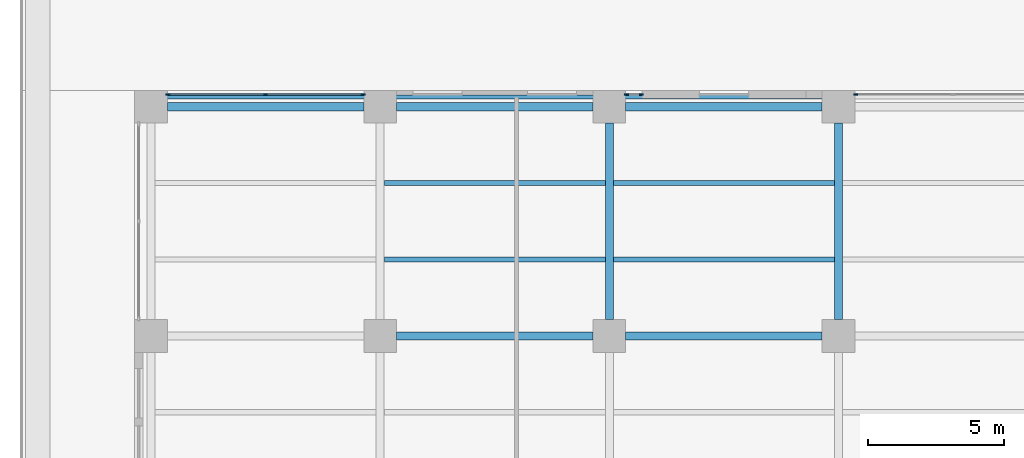
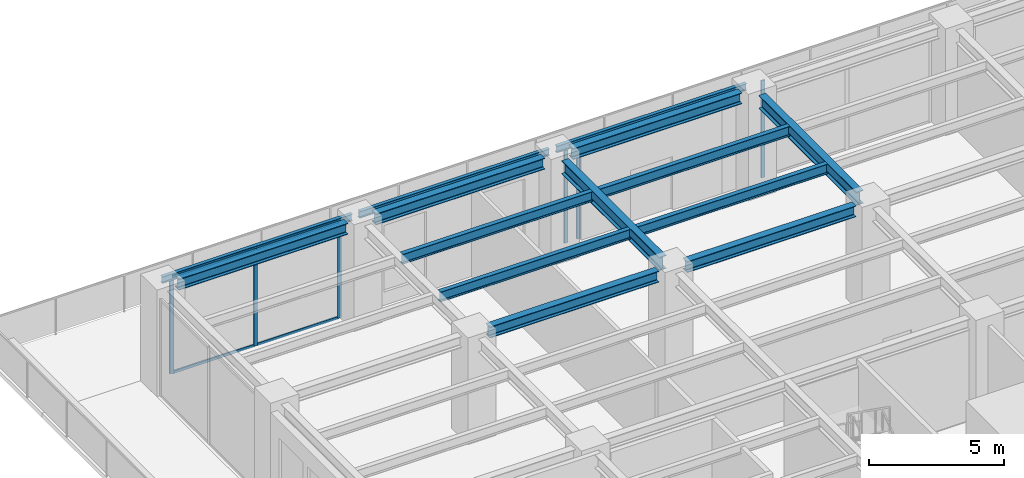
# One storey, part 12 of 53: 14 beams, 10 members, 3 elements without a shape of their own.
"""IFC4 building model written with IfcOpenShell, lengths in metres."""

from ifc_helpers import new_model, si_unit, direction, frame, origin, origin_2d, place, context, subcontext, project, spatial, rectangle, i_section, extrude, material, material_profile, profile_set, type_object, element, aggregate, save


model = new_model("IFC4")

# Units and contexts
model_context = context("Model", 3, precision=1e-05, world=origin(), true_north=direction((0.0, 1.0)))
body_context = subcontext(model_context, "Body", "Model", "MODEL_VIEW")
ifc_project = project(units=[si_unit("LENGTHUNIT", "METRE"), si_unit("AREAUNIT", "SQUARE_METRE"), si_unit("VOLUMEUNIT", "CUBIC_METRE"), si_unit("PLANEANGLEUNIT", "RADIAN"), si_unit("MASSUNIT", "GRAM", prefix="KILO")], contexts=[model_context])

# Site, building, storey
site_placement = place(None, origin())
site = spatial("IfcSite", under=ifc_project, at=site_placement, CompositionType="ELEMENT")
building_placement = place(site_placement, origin())
building = spatial("IfcBuilding", under=site, at=building_placement, Name="Khepri Terraces", CompositionType="ELEMENT")
storey_placement = place(building_placement, frame((0.0, 0.0, 7.199951171875)))
storey = spatial("IfcBuildingStorey", under=building, at=storey_placement, Name="L01", CompositionType="ELEMENT", Elevation=7.199951171875)

# Curtain wall, member
ifc_material_1 = material(Name="Anodised aluminium bronze curtain wall", Category="aluminium")
curtain_wall_type = type_object("IfcCurtainWallType", Name="CW-SYS2-PODIUM", PredefinedType="NOTDEFINED", material=ifc_material_1)
curtain_wall_1_placement = place(storey_placement, origin())
curtain_wall_1 = element("IfcCurtainWall", 1, at=curtain_wall_1_placement, inside=storey, type_object=curtain_wall_type, Name="Curtain wall CW2 L01 N", PredefinedType="NOTDEFINED")
ifc_material_2 = material(Name="Anodised aluminium bronze", Category="aluminium")
ifc_material_profile_1 = material_profile(ifc_material_2, rectangle(XDim=0.06005859375, YDim=0.159912109375, at=origin_2d()), Name="Anodised aluminium bronze", Category="aluminium")
ifc_profile_set_1 = profile_set([ifc_material_profile_1], Name="Anodised aluminium bronze")
member_type_1 = type_object("IfcMemberType", Name="CW-MULLION-60x160", PredefinedType="MULLION", material=ifc_profile_set_1)
member_1_placement = place(storey_placement, frame((-16.169921875, 42.449951171875, 0.0), z_axis=(0.0, 0.0, 1.0), x_axis=(0.0, -1.0, 0.0)))
member_1 = element("IfcMember", 2, at=member_1_placement, type_object=member_type_1, Name="CW2 mullion 3", PredefinedType="MULLION", context=body_context, shape_type="SweptSolid", body=[
    extrude(rectangle(XDim=0.06005859375, YDim=0.159912109375, at=origin_2d()), origin(), (0.0, 0.0, 1.0), 4.380126953125),
])
aggregate(curtain_wall_1, [member_1])

# Curtain wall, members
curtain_wall_2_placement = place(storey_placement, origin())
curtain_wall_2 = element("IfcCurtainWall", 3, at=curtain_wall_2_placement, inside=storey, type_object=curtain_wall_type, Name="Curtain wall CW2 L01 N", PredefinedType="NOTDEFINED")
member_2_placement = place(storey_placement, frame((-24.030029296875, 42.449951171875, 0.0), z_axis=(0.0, 0.0, 1.0), x_axis=(0.0, -1.0, 0.0)))
member_2 = element("IfcMember", 4, at=member_2_placement, type_object=member_type_1, Name="CW2 mullion 1", PredefinedType="MULLION", context=body_context, shape_type="SweptSolid", body=[
    extrude(rectangle(XDim=0.06005859375, YDim=0.159912109375, at=origin_2d()), origin(), (0.0, 0.0, 1.0), 4.380126953125),
])
member_3_placement = place(storey_placement, frame((-24.570068359375, 42.449951171875, 0.0), z_axis=(0.0, 0.0, 1.0), x_axis=(0.0, -1.0, 0.0)))
member_3 = element("IfcMember", 5, at=member_3_placement, type_object=member_type_1, Name="CW2 mullion 2", PredefinedType="MULLION", context=body_context, shape_type="SweptSolid", body=[
    extrude(rectangle(XDim=0.06005859375, YDim=0.159912109375, at=origin_2d()), origin(), (0.0, 0.0, 1.0), 4.380126953125),
])
aggregate(curtain_wall_2, [member_2, member_3])

curtain_wall_3_placement = place(storey_placement, origin())
curtain_wall_3 = element("IfcCurtainWall", 6, at=curtain_wall_3_placement, inside=storey, type_object=curtain_wall_type, Name="Curtain wall CW2 L01 N", PredefinedType="NOTDEFINED")
member_4_placement = place(storey_placement, frame((-34.22998046875, 42.449951171875, 0.0), z_axis=(0.0, 0.0, 1.0), x_axis=(0.0, -1.0, 0.0)))
member_4 = element("IfcMember", 7, at=member_4_placement, type_object=member_type_1, Name="CW2 mullion 1", PredefinedType="MULLION", context=body_context, shape_type="SweptSolid", body=[
    extrude(rectangle(XDim=0.06005859375, YDim=0.159912109375, at=origin_2d()), origin(), (0.0, 0.0, 1.0), 4.380126953125),
])
member_5_placement = place(storey_placement, frame((-37.800048828125, 42.449951171875, 0.0), z_axis=(0.0, 0.0, 1.0), x_axis=(0.0, -1.0, 0.0)))
member_5 = element("IfcMember", 8, at=member_5_placement, type_object=member_type_1, Name="CW2 mullion 2", PredefinedType="MULLION", context=body_context, shape_type="SweptSolid", body=[
    extrude(rectangle(XDim=0.06005859375, YDim=0.159912109375, at=origin_2d()), origin(), (0.0, 0.0, 1.0), 4.380126953125),
])
member_6_placement = place(storey_placement, frame((-41.3701171875, 42.449951171875, 0.0), z_axis=(0.0, 0.0, 1.0), x_axis=(0.0, -1.0, 0.0)))
member_6 = element("IfcMember", 9, at=member_6_placement, type_object=member_type_1, Name="CW2 mullion 3", PredefinedType="MULLION", context=body_context, shape_type="SweptSolid", body=[
    extrude(rectangle(XDim=0.06005859375, YDim=0.159912109375, at=origin_2d()), origin(), (0.0, 0.0, 1.0), 4.380126953125),
])
ifc_material_profile_2 = material_profile(ifc_material_2, rectangle(XDim=0.06005859375, YDim=0.1201171875, at=origin_2d()), Name="Anodised aluminium bronze", Category="aluminium")
ifc_profile_set_2 = profile_set([ifc_material_profile_2], Name="Anodised aluminium bronze")
member_type_2 = type_object("IfcMemberType", Name="CW-TRANSOM-60x120", PredefinedType="USERDEFINED", material=ifc_profile_set_2)
member_7_placement = place(storey_placement, frame((-34.260009765625, 42.449951171875, 0.030029296875), z_axis=(-1.0, 0.0, 0.0), x_axis=(0.0, -1.0, 0.0)))
member_7 = element("IfcMember", 10, at=member_7_placement, type_object=member_type_2, Name="CW2 transom 1.1", ObjectType="TRANSOM", PredefinedType="USERDEFINED", context=body_context, shape_type="SweptSolid", body=[
    extrude(rectangle(XDim=0.06005859375, YDim=0.1201171875, at=origin_2d()), origin(), (0.0, 0.0, 1.0), 3.510009765625),
])
member_8_placement = place(storey_placement, frame((-34.260009765625, 42.449951171875, 4.35009765625), z_axis=(-1.0, 0.0, 0.0), x_axis=(0.0, -1.0, 0.0)))
member_8 = element("IfcMember", 11, at=member_8_placement, type_object=member_type_2, Name="CW2 transom 1.2", ObjectType="TRANSOM", PredefinedType="USERDEFINED", context=body_context, shape_type="SweptSolid", body=[
    extrude(rectangle(XDim=0.06005859375, YDim=0.1201171875, at=origin_2d()), origin(), (0.0, 0.0, 1.0), 3.510009765625),
])
member_9_placement = place(storey_placement, frame((-37.830078125, 42.449951171875, 0.030029296875), z_axis=(-1.0, 0.0, 0.0), x_axis=(0.0, -1.0, 0.0)))
member_9 = element("IfcMember", 12, at=member_9_placement, type_object=member_type_2, Name="CW2 transom 2.1", ObjectType="TRANSOM", PredefinedType="USERDEFINED", context=body_context, shape_type="SweptSolid", body=[
    extrude(rectangle(XDim=0.06005859375, YDim=0.1201171875, at=origin_2d()), origin(), (0.0, 0.0, 1.0), 3.510009765625),
])
member_10_placement = place(storey_placement, frame((-37.830078125, 42.449951171875, 4.35009765625), z_axis=(-1.0, 0.0, 0.0), x_axis=(0.0, -1.0, 0.0)))
member_10 = element("IfcMember", 13, at=member_10_placement, type_object=member_type_2, Name="CW2 transom 2.2", ObjectType="TRANSOM", PredefinedType="USERDEFINED", context=body_context, shape_type="SweptSolid", body=[
    extrude(rectangle(XDim=0.06005859375, YDim=0.1201171875, at=origin_2d()), origin(), (0.0, 0.0, 1.0), 3.510009765625),
])
aggregate(curtain_wall_3, [member_4, member_5, member_6, member_7, member_8, member_9, member_10])

# Beams
ifc_material_3 = material(Name="Steel S355", Category="steel")
ifc_material_profile_3 = material_profile(ifc_material_3, i_section(OverallWidth=0.14990234375, OverallDepth=0.300048828125, WebThickness=0.007080078125, FlangeThickness=0.0107421875, FilletRadius=0.014892578125, at=origin_2d()), Name="Steel S355", Category="steel")
ifc_profile_set_3 = profile_set([ifc_material_profile_3], Name="Steel S355")
beam_type_1 = type_object("IfcBeamType", Name="Podium edge beam L02 IPE 300", PredefinedType="SPANDREL", material=ifc_profile_set_3)
beam_1_placement = place(storey_placement, frame((-41.85009765625, 42.35009765625, 4.449951171875), z_axis=(1.0, 0.0, 0.0), x_axis=(0.0, 1.0, 0.0)))
element("IfcBeam", 14, at=beam_1_placement, inside=storey, type_object=beam_type_1, Name="Podium edge beam L02 011", PredefinedType="SPANDREL", context=body_context, shape_type="SweptSolid", body=[
    extrude(i_section(OverallWidth=0.14990234375, OverallDepth=0.300048828125, WebThickness=0.007080078125, FlangeThickness=0.0107421875, FilletRadius=0.014892578125, at=origin_2d()), origin(), (0.0, 0.0, 1.0), 8.10009765625),
])
beam_2_placement = place(storey_placement, frame((-33.449951171875, 42.35009765625, 4.449951171875), z_axis=(1.0, 0.0, 0.0), x_axis=(0.0, 1.0, 0.0)))
element("IfcBeam", 15, at=beam_2_placement, inside=storey, type_object=beam_type_1, Name="Podium edge beam L02 012", PredefinedType="SPANDREL", context=body_context, shape_type="SweptSolid", body=[
    extrude(i_section(OverallWidth=0.14990234375, OverallDepth=0.300048828125, WebThickness=0.007080078125, FlangeThickness=0.0107421875, FilletRadius=0.014892578125, at=origin_2d()), origin(), (0.0, 0.0, 1.0), 8.099853515625),
])
beam_3_placement = place(storey_placement, frame((-25.050048828125, 42.35009765625, 4.449951171875), z_axis=(1.0, 0.0, 0.0), x_axis=(0.0, 1.0, 0.0)))
element("IfcBeam", 16, at=beam_3_placement, inside=storey, type_object=beam_type_1, Name="Podium edge beam L02 013", PredefinedType="SPANDREL", context=body_context, shape_type="SweptSolid", body=[
    extrude(i_section(OverallWidth=0.14990234375, OverallDepth=0.300048828125, WebThickness=0.007080078125, FlangeThickness=0.0107421875, FilletRadius=0.014892578125, at=origin_2d()), origin(), (0.0, 0.0, 1.0), 8.10009765625),
])
ifc_material_profile_4 = material_profile(ifc_material_3, i_section(OverallWidth=0.300048828125, OverallDepth=0.60009765625, WebThickness=0.015380859375, FlangeThickness=0.030029296875, FilletRadius=0.027099609375, at=origin_2d()), Name="Steel S355", Category="steel")
ifc_profile_set_4 = profile_set([ifc_material_profile_4], Name="Steel S355")
beam_type_2 = type_object("IfcBeamType", Name="Podium girder L02 HEB 600", PredefinedType="BEAM", material=ifc_profile_set_4)
for number, where, z_axis, x_axis, name in (
    (17, (-25.199951171875, 34.199951171875, 4.300048828125), (0.0, 1.0, 0.0), (-1.0, 0.0, 0.0), "Podium girder L02 028"),
    (18, (-16.800048828125, 34.199951171875, 4.300048828125), (0.0, 1.0, 0.0), (-1.0, 0.0, 0.0), "Podium girder L02 032"),
):
    element("IfcBeam", number, at=place(storey_placement, frame(where, z_axis=z_axis, x_axis=x_axis)), inside=storey, type_object=beam_type_2, Name=name, PredefinedType="BEAM", context=body_context, shape_type="SweptSolid", body=[
        extrude(i_section(OverallWidth=0.300048828125, OverallDepth=0.60009765625, WebThickness=0.015380859375, FlangeThickness=0.030029296875, FilletRadius=0.027099609375, at=origin_2d()), origin(), (0.0, 0.0, 1.0), 7.199951171875),
    ])
ifc_material_profile_5 = material_profile(ifc_material_3, i_section(OverallWidth=0.300048828125, OverallDepth=0.5, WebThickness=0.014404296875, FlangeThickness=0.028076171875, FilletRadius=0.027099609375, at=origin_2d()), Name="Steel S355", Category="steel")
ifc_profile_set_5 = profile_set([ifc_material_profile_5], Name="Steel S355")
beam_type_3 = type_object("IfcBeamType", Name="Podium girder L02 grid line HEB 500", PredefinedType="BEAM", material=ifc_profile_set_5)
beam_4_placement = place(storey_placement, frame((-33.0, 33.60009765625, 4.35009765625), z_axis=(1.0, 0.0, 0.0), x_axis=(0.0, 1.0, 0.0)))
element("IfcBeam", 19, at=beam_4_placement, inside=storey, type_object=beam_type_3, Name="Podium grid-line girder L02 166", PredefinedType="BEAM", context=body_context, shape_type="SweptSolid", body=[
    extrude(i_section(OverallWidth=0.300048828125, OverallDepth=0.5, WebThickness=0.014404296875, FlangeThickness=0.028076171875, FilletRadius=0.027099609375, at=origin_2d()), origin(), (0.0, 0.0, 1.0), 7.199951171875),
])
beam_5_placement = place(storey_placement, frame((-24.60009765625, 33.60009765625, 4.35009765625), z_axis=(1.0, 0.0, 0.0), x_axis=(0.0, 1.0, 0.0)))
element("IfcBeam", 20, at=beam_5_placement, inside=storey, type_object=beam_type_3, Name="Podium grid-line girder L02 167", PredefinedType="BEAM", context=body_context, shape_type="SweptSolid", body=[
    extrude(i_section(OverallWidth=0.300048828125, OverallDepth=0.5, WebThickness=0.014404296875, FlangeThickness=0.028076171875, FilletRadius=0.027099609375, at=origin_2d()), origin(), (0.0, 0.0, 1.0), 7.2001953125),
])
for number, where, z_axis, x_axis, name in (
    (21, (-41.39990234375, 42.0, 4.35009765625), (1.0, 0.0, 0.0), (0.0, 1.0, 0.0), "Podium grid-line girder L02 195"),
    (22, (-33.0, 42.0, 4.35009765625), (1.0, 0.0, 0.0), (0.0, 1.0, 0.0), "Podium grid-line girder L02 196"),
):
    element("IfcBeam", number, at=place(storey_placement, frame(where, z_axis=z_axis, x_axis=x_axis)), inside=storey, type_object=beam_type_3, Name=name, PredefinedType="BEAM", context=body_context, shape_type="SweptSolid", body=[
        extrude(i_section(OverallWidth=0.300048828125, OverallDepth=0.5, WebThickness=0.014404296875, FlangeThickness=0.028076171875, FilletRadius=0.027099609375, at=origin_2d()), origin(), (0.0, 0.0, 1.0), 7.199951171875),
    ])
beam_6_placement = place(storey_placement, frame((-24.60009765625, 42.0, 4.35009765625), z_axis=(1.0, 0.0, 0.0), x_axis=(0.0, 1.0, 0.0)))
element("IfcBeam", 23, at=beam_6_placement, inside=storey, type_object=beam_type_3, Name="Podium grid-line girder L02 197", PredefinedType="BEAM", context=body_context, shape_type="SweptSolid", body=[
    extrude(i_section(OverallWidth=0.300048828125, OverallDepth=0.5, WebThickness=0.014404296875, FlangeThickness=0.028076171875, FilletRadius=0.027099609375, at=origin_2d()), origin(), (0.0, 0.0, 1.0), 7.2001953125),
])
ifc_material_profile_6 = material_profile(ifc_material_3, i_section(OverallWidth=0.18994140625, OverallDepth=0.449951171875, WebThickness=0.009521484375, FlangeThickness=0.0146484375, FilletRadius=0.02099609375, at=origin_2d()), Name="Steel S355", Category="steel")
ifc_profile_set_6 = profile_set([ifc_material_profile_6], Name="Steel S355")
beam_type_4 = type_object("IfcBeamType", Name="Podium joist L02 IPE 450", PredefinedType="JOIST", material=ifc_profile_set_6)
beam_7_placement = place(storey_placement, frame((-33.449951171875, 36.39990234375, 4.375), z_axis=(1.0, 0.0, 0.0), x_axis=(0.0, 1.0, 0.0)))
element("IfcBeam", 24, at=beam_7_placement, inside=storey, type_object=beam_type_4, Name="Podium joist L02 176", PredefinedType="JOIST", context=body_context, shape_type="SweptSolid", body=[
    extrude(i_section(OverallWidth=0.18994140625, OverallDepth=0.449951171875, WebThickness=0.009521484375, FlangeThickness=0.0146484375, FilletRadius=0.02099609375, at=origin_2d()), origin(), (0.0, 0.0, 1.0), 8.099853515625),
])
beam_8_placement = place(storey_placement, frame((-25.050048828125, 36.39990234375, 4.375), z_axis=(1.0, 0.0, 0.0), x_axis=(0.0, 1.0, 0.0)))
element("IfcBeam", 25, at=beam_8_placement, inside=storey, type_object=beam_type_4, Name="Podium joist L02 177", PredefinedType="JOIST", context=body_context, shape_type="SweptSolid", body=[
    extrude(i_section(OverallWidth=0.18994140625, OverallDepth=0.449951171875, WebThickness=0.009521484375, FlangeThickness=0.0146484375, FilletRadius=0.02099609375, at=origin_2d()), origin(), (0.0, 0.0, 1.0), 8.10009765625),
])
beam_9_placement = place(storey_placement, frame((-33.449951171875, 39.199951171875, 4.375), z_axis=(1.0, 0.0, 0.0), x_axis=(0.0, 1.0, 0.0)))
element("IfcBeam", 26, at=beam_9_placement, inside=storey, type_object=beam_type_4, Name="Podium joist L02 186", PredefinedType="JOIST", context=body_context, shape_type="SweptSolid", body=[
    extrude(i_section(OverallWidth=0.18994140625, OverallDepth=0.449951171875, WebThickness=0.009521484375, FlangeThickness=0.0146484375, FilletRadius=0.02099609375, at=origin_2d()), origin(), (0.0, 0.0, 1.0), 8.099853515625),
])
beam_10_placement = place(storey_placement, frame((-25.050048828125, 39.199951171875, 4.375), z_axis=(1.0, 0.0, 0.0), x_axis=(0.0, 1.0, 0.0)))
element("IfcBeam", 27, at=beam_10_placement, inside=storey, type_object=beam_type_4, Name="Podium joist L02 187", PredefinedType="JOIST", context=body_context, shape_type="SweptSolid", body=[
    extrude(i_section(OverallWidth=0.18994140625, OverallDepth=0.449951171875, WebThickness=0.009521484375, FlangeThickness=0.0146484375, FilletRadius=0.02099609375, at=origin_2d()), origin(), (0.0, 0.0, 1.0), 8.10009765625),
])

save(model, "model.ifc")
